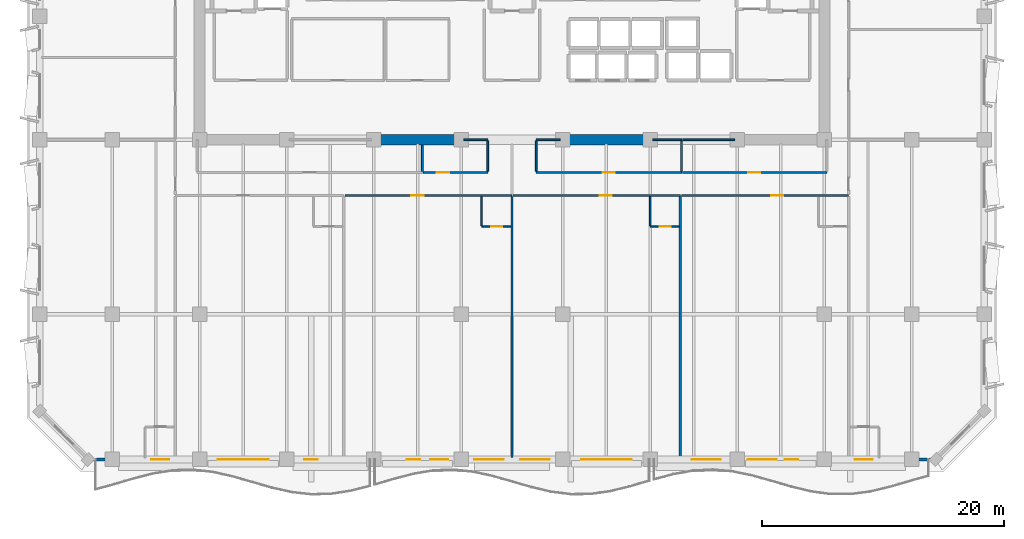
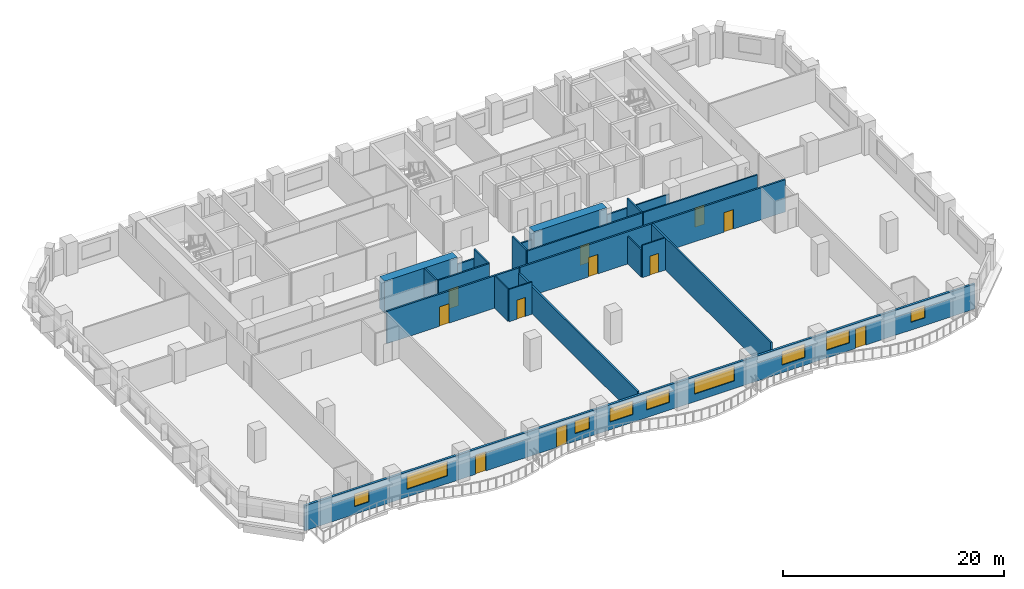
# One storey, part 5 of 14: 23 walls, 11 doors, 9 windows, 20 openings.
"""IFC4 building model written with IfcOpenShell, lengths in metres."""

from ifc_helpers import new_model, si_unit, direction, frame, frame_2d, origin, place, context, subcontext, project, spatial, rectangle, extrude, material, layer, layer_set, type_object, element, fill, save


model = new_model("IFC4")

# Units and contexts
model_context = context("Model", 3, precision=1e-05, world=origin(), true_north=direction((0.0, 1.0)))
body_context = subcontext(model_context, "Body", "Model", "MODEL_VIEW")
ifc_project = project(units=[si_unit("LENGTHUNIT", "METRE"), si_unit("AREAUNIT", "SQUARE_METRE"), si_unit("VOLUMEUNIT", "CUBIC_METRE"), si_unit("PLANEANGLEUNIT", "RADIAN"), si_unit("MASSUNIT", "GRAM", prefix="KILO")], contexts=[model_context])

# Site, building, storey
site_placement = place(None, origin())
site = spatial("IfcSite", under=ifc_project, at=site_placement, CompositionType="ELEMENT")
building_placement = place(site_placement, origin())
building = spatial("IfcBuilding", under=site, at=building_placement, Name="Kaelvorn Grand Hotel", CompositionType="ELEMENT")
storey_placement = place(building_placement, frame((0.0, 0.0, 216.75)))
storey = spatial("IfcBuildingStorey", under=building, at=storey_placement, Name="L53", CompositionType="ELEMENT", Elevation=216.75)

# Walls
ifc_material_1 = material(Name="Concrete C60/75", Category="concrete")
ifc_layer_1 = layer(ifc_material_1, 0.89990234375)
ifc_layer_set_1 = layer_set([ifc_layer_1], Name="Concrete C60/75")
wall_type_1 = type_object("IfcWallType", Name="WL-CORE-900-C60", PredefinedType="SHEAR", material=ifc_layer_set_1)
for number, where, z_axis, x_axis, name in (
    (1, (30.39990234375, 29.39990234375, 0.0), (0.0, 0.0, 1.0), (1.0, 0.0, 0.0), "L53 Rear-Core Coupled Shear Pier S2"),
    (2, (46.0, 29.39990234375, 0.0), (0.0, 0.0, 1.0), (1.0, 0.0, 0.0), "L53 Rear-Core Coupled Shear Pier S3"),
):
    element("IfcWall", number, at=place(storey_placement, frame(where, z_axis=z_axis, x_axis=x_axis)), inside=storey, type_object=wall_type_1, Name=name, PredefinedType="SHEAR", context=body_context, shape_type="SweptSolid", body=[
        extrude(rectangle(XDim=7.60009765625, YDim=0.89990234375, at=frame_2d((3.800048828125, 0.0))), origin(), (0.0, 0.0, 1.0), 3.56005859375),
    ])

# Wall, openings, doors, windows
ifc_material_2 = material(Name="Concrete C40/50", Category="concrete")
ifc_layer_2 = layer(ifc_material_2, 0.239990234375)
ifc_layer_set_2 = layer_set([ifc_layer_2], Name="Concrete C40/50")
wall_type_2 = type_object("IfcWallType", Name="WL-EXT-240-C40", PredefinedType="SOLIDWALL", material=ifc_layer_set_2)
wall_1_placement = place(storey_placement, frame((7.0, 3.0, 0.0), z_axis=(0.0, 0.0, 1.0), x_axis=(1.0, 0.0, 0.0)))
wall_1 = element("IfcWall", 3, at=wall_1_placement, inside=storey, type_object=wall_type_2, Name="L53 Exterior Architectural Concrete Wall 01", PredefinedType="SOLIDWALL", context=body_context, shape_type="SweptSolid", body=[
    extrude(rectangle(XDim=70.0, YDim=0.239990234375, at=frame_2d((35.0, 0.0))), origin(), (0.0, 0.0, 1.0), 2.760009765625),
])
opening_1_placement = place(wall_1_placement, frame((17.859619140625, 0.0, 0.0)))
opening_1 = element("IfcOpeningElement", 4, at=opening_1_placement, cuts=wall_1, Name="Opening DE2", PredefinedType="OPENING", context=body_context, shape_type="SweptSolid", body=[
    extrude(rectangle(XDim=1.10009765625, YDim=2.14990234375, at=frame_2d((0.550048828125, 1.074951171875))), frame((0.0, 0.1298828125, 0.0), z_axis=(0.0, -1.0, 0.0), x_axis=(1.0, 0.0, 0.0)), (0.0, 0.0, 1.0), 0.260009765625),
])
opening_2_placement = place(wall_1_placement, frame((26.316650390625, 0.0, 0.0)))
opening_2 = element("IfcOpeningElement", 5, at=opening_2_placement, cuts=wall_1, Name="Opening DE2", PredefinedType="OPENING", context=body_context, shape_type="SweptSolid", body=[
    extrude(rectangle(XDim=1.10009765625, YDim=2.14990234375, at=frame_2d((0.550048828125, 1.074951171875))), frame((0.0, 0.1298828125, 0.0), z_axis=(0.0, -1.0, 0.0), x_axis=(1.0, 0.0, 0.0)), (0.0, 0.0, 1.0), 0.260009765625),
])
opening_3_placement = place(wall_1_placement, frame((57.5166015625, 0.0, 0.0)))
opening_3 = element("IfcOpeningElement", 6, at=opening_3_placement, cuts=wall_1, Name="Opening DE2", PredefinedType="OPENING", context=body_context, shape_type="SweptSolid", body=[
    extrude(rectangle(XDim=1.10009765625, YDim=2.14990234375, at=frame_2d((0.550048828125, 1.074951171875))), frame((0.0, 0.1298828125, 0.0), z_axis=(0.0, -1.0, 0.0), x_axis=(1.0, 0.0, 0.0)), (0.0, 0.0, 1.0), 0.260009765625),
])
opening_4_placement = place(wall_1_placement, frame((5.199951171875, 0.0, 0.85009765625)))
opening_4 = element("IfcOpeningElement", 7, at=opening_4_placement, cuts=wall_1, Name="Opening W10", PredefinedType="OPENING", context=body_context, shape_type="SweptSolid", body=[
    extrude(rectangle(XDim=1.5, YDim=1.39990234375, at=frame_2d((0.75, 0.699951171875))), frame((0.0, 0.1298828125, 0.0), z_axis=(0.0, -1.0, 0.0), x_axis=(1.0, 0.0, 0.0)), (0.0, 0.0, 1.0), 0.260009765625),
])
opening_5_placement = place(wall_1_placement, frame((10.699951171875, 0.0, 0.85009765625)))
opening_5 = element("IfcOpeningElement", 8, at=opening_5_placement, cuts=wall_1, Name="Opening W2", PredefinedType="OPENING", context=body_context, shape_type="SweptSolid", body=[
    extrude(rectangle(XDim=4.199951171875, YDim=1.64990234375, at=frame_2d((2.10009765625, 0.824951171875))), frame((0.0, 0.1298828125, 0.0), z_axis=(0.0, -1.0, 0.0), x_axis=(1.0, 0.0, 0.0)), (0.0, 0.0, 1.0), 0.260009765625),
])
opening_6_placement = place(wall_1_placement, frame((28.243408203125, 0.0, 0.85009765625)))
opening_6 = element("IfcOpeningElement", 9, at=opening_6_placement, cuts=wall_1, Name="Opening W10", PredefinedType="OPENING", context=body_context, shape_type="SweptSolid", body=[
    extrude(rectangle(XDim=1.5, YDim=1.39990234375, at=frame_2d((0.75, 0.699951171875))), frame((0.0, 0.1298828125, 0.0), z_axis=(0.0, -1.0, 0.0), x_axis=(1.0, 0.0, 0.0)), (0.0, 0.0, 1.0), 0.260009765625),
])
opening_7_placement = place(wall_1_placement, frame((31.89990234375, 0.0, 0.85009765625)))
opening_7 = element("IfcOpeningElement", 10, at=opening_7_placement, cuts=wall_1, Name="Opening W6", PredefinedType="OPENING", context=body_context, shape_type="SweptSolid", body=[
    extrude(rectangle(XDim=2.39990234375, YDim=1.5, at=frame_2d((1.199951171875, 0.75))), frame((0.0, 0.1298828125, 0.0), z_axis=(0.0, -1.0, 0.0), x_axis=(1.0, 0.0, 0.0)), (0.0, 0.0, 1.0), 0.260009765625),
])
opening_8_placement = place(wall_1_placement, frame((35.699951171875, 0.0, 0.85009765625)))
opening_8 = element("IfcOpeningElement", 11, at=opening_8_placement, cuts=wall_1, Name="Opening W6", PredefinedType="OPENING", context=body_context, shape_type="SweptSolid", body=[
    extrude(rectangle(XDim=2.39990234375, YDim=1.5, at=frame_2d((1.199951171875, 0.75))), frame((0.0, 0.1298828125, 0.0), z_axis=(0.0, -1.0, 0.0), x_axis=(1.0, 0.0, 0.0)), (0.0, 0.0, 1.0), 0.260009765625),
])
opening_9_placement = place(wall_1_placement, frame((40.699951171875, 0.0, 0.85009765625)))
opening_9 = element("IfcOpeningElement", 12, at=opening_9_placement, cuts=wall_1, Name="Opening W2", PredefinedType="OPENING", context=body_context, shape_type="SweptSolid", body=[
    extrude(rectangle(XDim=4.199951171875, YDim=1.64990234375, at=frame_2d((2.10009765625, 0.824951171875))), frame((0.0, 0.1298828125, 0.0), z_axis=(0.0, -1.0, 0.0), x_axis=(1.0, 0.0, 0.0)), (0.0, 0.0, 1.0), 0.260009765625),
])
opening_10_placement = place(wall_1_placement, frame((49.85009765625, 0.0, 0.85009765625)))
opening_10 = element("IfcOpeningElement", 13, at=opening_10_placement, cuts=wall_1, Name="Opening W6", PredefinedType="OPENING", context=body_context, shape_type="SweptSolid", body=[
    extrude(rectangle(XDim=2.39990234375, YDim=1.5, at=frame_2d((1.199951171875, 0.75))), frame((0.0, 0.1298828125, 0.0), z_axis=(0.0, -1.0, 0.0), x_axis=(1.0, 0.0, 0.0)), (0.0, 0.0, 1.0), 0.260009765625),
])
opening_11_placement = place(wall_1_placement, frame((54.473388671875, 0.0, 0.85009765625)))
opening_11 = element("IfcOpeningElement", 14, at=opening_11_placement, cuts=wall_1, Name="Opening W6", PredefinedType="OPENING", context=body_context, shape_type="SweptSolid", body=[
    extrude(rectangle(XDim=2.39990234375, YDim=1.5, at=frame_2d((1.199951171875, 0.75))), frame((0.0, 0.1298828125, 0.0), z_axis=(0.0, -1.0, 0.0), x_axis=(1.0, 0.0, 0.0)), (0.0, 0.0, 1.0), 0.260009765625),
])
opening_12_placement = place(wall_1_placement, frame((63.300048828125, 0.0, 0.85009765625)))
opening_12 = element("IfcOpeningElement", 15, at=opening_12_placement, cuts=wall_1, Name="Opening W10", PredefinedType="OPENING", context=body_context, shape_type="SweptSolid", body=[
    extrude(rectangle(XDim=1.5, YDim=1.39990234375, at=frame_2d((0.75, 0.699951171875))), frame((0.0, 0.1298828125, 0.0), z_axis=(0.0, -1.0, 0.0), x_axis=(1.0, 0.0, 0.0)), (0.0, 0.0, 1.0), 0.260009765625),
])
ifc_material_3 = material(Name="Anodised Aluminium", Category="aluminium")
door_type_1 = type_object("IfcDoorType", Name="DR-EXT-BALC-1100x2150", OperationType="NOTDEFINED", PredefinedType="DOOR", material=ifc_material_3)
door_1_placement = place(opening_1_placement, origin())
door_1 = element("IfcDoor", 16, at=door_1_placement, inside=storey, type_object=door_type_1, Name="L53 Scalloped Balcony Glazed Door DE2-1", OperationType="SINGLE_SWING_RIGHT", OverallHeight=2.14990234375, OverallWidth=1.10009765625, PredefinedType="DOOR", context=body_context, shape_type="SweptSolid", body=[
    extrude(rectangle(XDim=1.10009765625, YDim=2.14990234375, at=frame_2d((0.550048828125, 1.074951171875))), frame((0.0, 0.02490234375, 0.0), z_axis=(0.0, -1.0, 0.0), x_axis=(1.0, 0.0, 0.0)), (0.0, 0.0, 1.0), 0.050048828125),
])
fill(opening_1, door_1)
door_2_placement = place(opening_2_placement, origin())
door_2 = element("IfcDoor", 17, at=door_2_placement, inside=storey, type_object=door_type_1, Name="L53 Scalloped Balcony Glazed Door DE2-2", OperationType="SINGLE_SWING_LEFT", OverallHeight=2.14990234375, OverallWidth=1.10009765625, PredefinedType="DOOR", context=body_context, shape_type="SweptSolid", body=[
    extrude(rectangle(XDim=1.10009765625, YDim=2.14990234375, at=frame_2d((0.550048828125, 1.074951171875))), frame((0.0, 0.02490234375, 0.0), z_axis=(0.0, -1.0, 0.0), x_axis=(1.0, 0.0, 0.0)), (0.0, 0.0, 1.0), 0.050048828125),
])
fill(opening_2, door_2)
door_3_placement = place(opening_3_placement, origin())
door_3 = element("IfcDoor", 18, at=door_3_placement, inside=storey, type_object=door_type_1, Name="L53 Scalloped Balcony Glazed Door DE2-3", OperationType="SINGLE_SWING_RIGHT", OverallHeight=2.14990234375, OverallWidth=1.10009765625, PredefinedType="DOOR", context=body_context, shape_type="SweptSolid", body=[
    extrude(rectangle(XDim=1.10009765625, YDim=2.14990234375, at=frame_2d((0.550048828125, 1.074951171875))), frame((0.0, 0.02490234375, 0.0), z_axis=(0.0, -1.0, 0.0), x_axis=(1.0, 0.0, 0.0)), (0.0, 0.0, 1.0), 0.050048828125),
])
fill(opening_3, door_3)
ifc_material_4 = material(Name="Laminated Low-E Glass", Category="glass")
window_type_1 = type_object("IfcWindowType", Name="WIN-COR-1500x1400", PartitioningType="SINGLE_PANEL", PredefinedType="WINDOW", material=ifc_material_4)
window_1_placement = place(opening_4_placement, origin())
window_1 = element("IfcWindow", 19, at=window_1_placement, inside=storey, type_object=window_type_1, Name="L53 South Guestroom Ribbon Window SR01", OverallHeight=1.39990234375, OverallWidth=1.5, PartitioningType="SINGLE_PANEL", PredefinedType="WINDOW", context=body_context, shape_type="SweptSolid", body=[
    extrude(rectangle(XDim=1.5, YDim=1.39990234375, at=frame_2d((0.75, 0.699951171875))), frame((0.0, 0.030029296875, 0.0), z_axis=(0.0, -1.0, 0.0), x_axis=(1.0, 0.0, 0.0)), (0.0, 0.0, 1.0), 0.06005859375),
])
fill(opening_4, window_1)
window_2_placement = place(opening_6_placement, origin())
window_2 = element("IfcWindow", 20, at=window_2_placement, inside=storey, type_object=window_type_1, Name="L53 South Guestroom Ribbon Window SR03", OverallHeight=1.39990234375, OverallWidth=1.5, PartitioningType="SINGLE_PANEL", PredefinedType="WINDOW", context=body_context, shape_type="SweptSolid", body=[
    extrude(rectangle(XDim=1.5, YDim=1.39990234375, at=frame_2d((0.75, 0.699951171875))), frame((0.0, 0.030029296875, 0.0), z_axis=(0.0, -1.0, 0.0), x_axis=(1.0, 0.0, 0.0)), (0.0, 0.0, 1.0), 0.06005859375),
])
fill(opening_6, window_2)
window_3_placement = place(opening_12_placement, origin())
window_3 = element("IfcWindow", 21, at=window_3_placement, inside=storey, type_object=window_type_1, Name="L53 South Guestroom Ribbon Window SR09", OverallHeight=1.39990234375, OverallWidth=1.5, PartitioningType="SINGLE_PANEL", PredefinedType="WINDOW", context=body_context, shape_type="SweptSolid", body=[
    extrude(rectangle(XDim=1.5, YDim=1.39990234375, at=frame_2d((0.75, 0.699951171875))), frame((0.0, 0.030029296875, 0.0), z_axis=(0.0, -1.0, 0.0), x_axis=(1.0, 0.0, 0.0)), (0.0, 0.0, 1.0), 0.06005859375),
])
fill(opening_12, window_3)
window_type_2 = type_object("IfcWindowType", Name="WIN-NTH-2400x1500", PartitioningType="SINGLE_PANEL", PredefinedType="WINDOW", material=ifc_material_4)
window_4_placement = place(opening_7_placement, origin())
window_4 = element("IfcWindow", 22, at=window_4_placement, inside=storey, type_object=window_type_2, Name="L53 South Guestroom Ribbon Window SR04", OverallHeight=1.5, OverallWidth=2.39990234375, PartitioningType="SINGLE_PANEL", PredefinedType="WINDOW", context=body_context, shape_type="SweptSolid", body=[
    extrude(rectangle(XDim=2.39990234375, YDim=1.5, at=frame_2d((1.199951171875, 0.75))), frame((0.0, 0.030029296875, 0.0), z_axis=(0.0, -1.0, 0.0), x_axis=(1.0, 0.0, 0.0)), (0.0, 0.0, 1.0), 0.06005859375),
])
fill(opening_7, window_4)
window_5_placement = place(opening_8_placement, origin())
window_5 = element("IfcWindow", 23, at=window_5_placement, inside=storey, type_object=window_type_2, Name="L53 South Guestroom Ribbon Window SR05", OverallHeight=1.5, OverallWidth=2.39990234375, PartitioningType="SINGLE_PANEL", PredefinedType="WINDOW", context=body_context, shape_type="SweptSolid", body=[
    extrude(rectangle(XDim=2.39990234375, YDim=1.5, at=frame_2d((1.199951171875, 0.75))), frame((0.0, 0.030029296875, 0.0), z_axis=(0.0, -1.0, 0.0), x_axis=(1.0, 0.0, 0.0)), (0.0, 0.0, 1.0), 0.06005859375),
])
fill(opening_8, window_5)
window_6_placement = place(opening_10_placement, origin())
window_6 = element("IfcWindow", 24, at=window_6_placement, inside=storey, type_object=window_type_2, Name="L53 South Guestroom Ribbon Window SR07", OverallHeight=1.5, OverallWidth=2.39990234375, PartitioningType="SINGLE_PANEL", PredefinedType="WINDOW", context=body_context, shape_type="SweptSolid", body=[
    extrude(rectangle(XDim=2.39990234375, YDim=1.5, at=frame_2d((1.199951171875, 0.75))), frame((0.0, 0.030029296875, 0.0), z_axis=(0.0, -1.0, 0.0), x_axis=(1.0, 0.0, 0.0)), (0.0, 0.0, 1.0), 0.06005859375),
])
fill(opening_10, window_6)
window_7_placement = place(opening_11_placement, origin())
window_7 = element("IfcWindow", 25, at=window_7_placement, inside=storey, type_object=window_type_2, Name="L53 South Guestroom Ribbon Window SR08", OverallHeight=1.5, OverallWidth=2.39990234375, PartitioningType="SINGLE_PANEL", PredefinedType="WINDOW", context=body_context, shape_type="SweptSolid", body=[
    extrude(rectangle(XDim=2.39990234375, YDim=1.5, at=frame_2d((1.199951171875, 0.75))), frame((0.0, 0.030029296875, 0.0), z_axis=(0.0, -1.0, 0.0), x_axis=(1.0, 0.0, 0.0)), (0.0, 0.0, 1.0), 0.06005859375),
])
fill(opening_11, window_7)
window_type_3 = type_object("IfcWindowType", Name="WIN-RIB-4200x1650", PartitioningType="SINGLE_PANEL", PredefinedType="WINDOW", material=ifc_material_4)
window_8_placement = place(opening_5_placement, origin())
window_8 = element("IfcWindow", 26, at=window_8_placement, inside=storey, type_object=window_type_3, Name="L53 South Guestroom Ribbon Window SR02", OverallHeight=1.64990234375, OverallWidth=4.199951171875, PartitioningType="SINGLE_PANEL", PredefinedType="WINDOW", context=body_context, shape_type="SweptSolid", body=[
    extrude(rectangle(XDim=4.199951171875, YDim=1.64990234375, at=frame_2d((2.10009765625, 0.824951171875))), frame((0.0, 0.030029296875, 0.0), z_axis=(0.0, -1.0, 0.0), x_axis=(1.0, 0.0, 0.0)), (0.0, 0.0, 1.0), 0.06005859375),
])
fill(opening_5, window_8)
window_9_placement = place(opening_9_placement, origin())
window_9 = element("IfcWindow", 27, at=window_9_placement, inside=storey, type_object=window_type_3, Name="L53 South Guestroom Ribbon Window SR06", OverallHeight=1.64990234375, OverallWidth=4.199951171875, PartitioningType="SINGLE_PANEL", PredefinedType="WINDOW", context=body_context, shape_type="SweptSolid", body=[
    extrude(rectangle(XDim=4.199951171875, YDim=1.64990234375, at=frame_2d((2.10009765625, 0.824951171875))), frame((0.0, 0.030029296875, 0.0), z_axis=(0.0, -1.0, 0.0), x_axis=(1.0, 0.0, 0.0)), (0.0, 0.0, 1.0), 0.06005859375),
])
fill(opening_9, window_9)

# Wall, opening, door
ifc_material_5 = material(Name="Moisture-Resistant Tile & Stud Board")
ifc_layer_3 = layer(ifc_material_5, 0.125)
ifc_layer_set_3 = layer_set([ifc_layer_3], Name="Moisture-Resistant Tile & Stud Board")
wall_type_3 = type_object("IfcWallType", Name="WL-PART-125-WET", PredefinedType="PARTITIONING", material=ifc_layer_set_3)
wall_2_placement = place(storey_placement, frame((39.5, 22.25, 0.0), z_axis=(0.0, 0.0, 1.0), x_axis=(1.0, 0.0, 0.0)))
wall_2 = element("IfcWall", 28, at=wall_2_placement, inside=storey, type_object=wall_type_3, Name="L53 En-suite Bathroom L53-02 S Partition", PredefinedType="PARTITIONING", context=body_context, shape_type="SweptSolid", body=[
    extrude(rectangle(XDim=2.405029296875, YDim=0.125, at=frame_2d((1.20263671875, 0.0))), origin(), (0.0, 0.0, 1.0), 3.56005859375),
])
opening_13_placement = place(wall_2_placement, frame((0.800048828125, 0.0, 0.0)))
opening_13 = element("IfcOpeningElement", 29, at=opening_13_placement, cuts=wall_2, Name="Opening DI4", PredefinedType="OPENING", context=body_context, shape_type="SweptSolid", body=[
    extrude(rectangle(XDim=0.89990234375, YDim=2.10009765625, at=frame_2d((0.449951171875, 1.050048828125))), frame((0.0, 0.072509765625, 0.0), z_axis=(0.0, -1.0, 0.0), x_axis=(1.0, 0.0, 0.0)), (0.0, 0.0, 1.0), 0.14501953125),
])
ifc_material_6 = material(Name="Timber Veneer Leaf", Category="wood")
door_type_2 = type_object("IfcDoorType", Name="DR-INT-BATH-900x2100", OperationType="NOTDEFINED", PredefinedType="DOOR", material=ifc_material_6)
door_4_placement = place(opening_13_placement, origin())
door_4 = element("IfcDoor", 30, at=door_4_placement, inside=storey, type_object=door_type_2, Name="L53 En-suite Bathroom L53-02 Door", OperationType="SINGLE_SWING_LEFT", OverallHeight=2.10009765625, OverallWidth=0.89990234375, PredefinedType="DOOR", context=body_context, shape_type="SweptSolid", body=[
    extrude(rectangle(XDim=0.89990234375, YDim=2.10009765625, at=frame_2d((0.449951171875, 1.050048828125))), frame((0.0, 0.02490234375, 0.0), z_axis=(0.0, -1.0, 0.0), x_axis=(1.0, 0.0, 0.0)), (0.0, 0.0, 1.0), 0.050048828125),
])
fill(opening_13, door_4)

# Wall
wall_3_placement = place(storey_placement, frame((39.5, 22.3173828125, 0.0), z_axis=(0.0, 0.0, 1.0), x_axis=(0.0, 1.0, 0.0)))
element("IfcWall", 31, at=wall_3_placement, inside=storey, type_object=wall_type_3, Name="L53 En-suite Bathroom L53-02 W Partition", PredefinedType="PARTITIONING", context=body_context, shape_type="SweptSolid", body=[
    extrude(rectangle(XDim=2.3876953125, YDim=0.125, at=frame_2d((1.19384765625, 0.0))), origin(), (0.0, 0.0, 1.0), 3.56005859375),
])

# Wall, opening, door
wall_4_placement = place(storey_placement, frame((53.39990234375, 22.25, 0.0), z_axis=(0.0, 0.0, 1.0), x_axis=(1.0, 0.0, 0.0)))
wall_4 = element("IfcWall", 32, at=wall_4_placement, inside=storey, type_object=wall_type_3, Name="L53 En-suite Bathroom L53-03 S Partition", PredefinedType="PARTITIONING", context=body_context, shape_type="SweptSolid", body=[
    extrude(rectangle(XDim=2.405029296875, YDim=0.125, at=frame_2d((1.20263671875, 0.0))), origin(), (0.0, 0.0, 1.0), 3.56005859375),
])
opening_14_placement = place(wall_4_placement, frame((0.800048828125, 0.0, 0.0)))
opening_14 = element("IfcOpeningElement", 33, at=opening_14_placement, cuts=wall_4, Name="Opening DI4", PredefinedType="OPENING", context=body_context, shape_type="SweptSolid", body=[
    extrude(rectangle(XDim=0.89990234375, YDim=2.10009765625, at=frame_2d((0.449951171875, 1.050048828125))), frame((0.0, 0.072509765625, 0.0), z_axis=(0.0, -1.0, 0.0), x_axis=(1.0, 0.0, 0.0)), (0.0, 0.0, 1.0), 0.14501953125),
])
door_5_placement = place(opening_14_placement, origin())
door_5 = element("IfcDoor", 34, at=door_5_placement, inside=storey, type_object=door_type_2, Name="L53 En-suite Bathroom L53-03 Door", OperationType="SINGLE_SWING_LEFT", OverallHeight=2.10009765625, OverallWidth=0.89990234375, PredefinedType="DOOR", context=body_context, shape_type="SweptSolid", body=[
    extrude(rectangle(XDim=0.89990234375, YDim=2.10009765625, at=frame_2d((0.449951171875, 1.050048828125))), frame((0.0, 0.02490234375, 0.0), z_axis=(0.0, -1.0, 0.0), x_axis=(1.0, 0.0, 0.0)), (0.0, 0.0, 1.0), 0.050048828125),
])
fill(opening_14, door_5)

# Walls
wall_5_placement = place(storey_placement, frame((53.39990234375, 22.3173828125, 0.0), z_axis=(0.0, 0.0, 1.0), x_axis=(0.0, 1.0, 0.0)))
element("IfcWall", 35, at=wall_5_placement, inside=storey, type_object=wall_type_3, Name="L53 En-suite Bathroom L53-03 W Partition", PredefinedType="PARTITIONING", context=body_context, shape_type="SweptSolid", body=[
    extrude(rectangle(XDim=2.3876953125, YDim=0.125, at=frame_2d((1.19384765625, 0.0))), origin(), (0.0, 0.0, 1.0), 3.06005859375),
])
ifc_material_7 = material(Name="Acoustic Gypsum & Stud Partition")
ifc_layer_4 = layer(ifc_material_7, 0.14990234375)
ifc_layer_set_4 = layer_set([ifc_layer_4], Name="Acoustic Gypsum & Stud Partition")
wall_type_4 = type_object("IfcWallType", Name="WL-PART-150-EI60", PredefinedType="PARTITIONING", material=ifc_layer_set_4)
wall_6_placement = place(storey_placement, frame((34.60009765625, 26.780029296875, 0.0), z_axis=(0.0, 0.0, 1.0), x_axis=(0.0, 1.0, 0.0)))
element("IfcWall", 36, at=wall_6_placement, inside=storey, type_object=wall_type_4, Name="L53 Botanical Conservatory Salon E Partition", PredefinedType="PARTITIONING", context=body_context, shape_type="SweptSolid", body=[
    extrude(rectangle(XDim=2.1650390625, YDim=0.14990234375, at=frame_2d((1.08251953125, 0.0))), origin(), (0.0, 0.0, 1.0), 3.56005859375),
])

# Wall, opening, door
wall_7_placement = place(storey_placement, frame((34.679931640625, 26.699951171875, 0.0), z_axis=(0.0, 0.0, 1.0), x_axis=(1.0, 0.0, 0.0)))
wall_7 = element("IfcWall", 37, at=wall_7_placement, inside=storey, type_object=wall_type_4, Name="L53 Catering Servery Kitchen S Partition", PredefinedType="PARTITIONING", context=body_context, shape_type="SweptSolid", body=[
    extrude(rectangle(XDim=5.320068359375, YDim=0.14990234375, at=frame_2d((2.66015625, 0.0))), origin(), (0.0, 0.0, 1.0), 3.56005859375),
])
opening_15_placement = place(wall_7_placement, frame((1.1201171875, 0.0, 0.0)))
opening_15 = element("IfcOpeningElement", 38, at=opening_15_placement, cuts=wall_7, Name="Opening DI3", PredefinedType="OPENING", context=body_context, shape_type="SweptSolid", body=[
    extrude(rectangle(XDim=1.0, YDim=2.14990234375, at=frame_2d((0.5, 1.074951171875))), frame((0.0, 0.0849609375, 0.0), z_axis=(0.0, -1.0, 0.0), x_axis=(1.0, 0.0, 0.0)), (0.0, 0.0, 1.0), 0.169921875),
])
ifc_material_8 = material(Name="Timber Veneer Fire Leaf", Category="wood")
door_type_3 = type_object("IfcDoorType", Name="DR-INT-GUEST-1000x2150", OperationType="NOTDEFINED", PredefinedType="DOOR", material=ifc_material_8)
door_6_placement = place(opening_15_placement, origin())
door_6 = element("IfcDoor", 39, at=door_6_placement, inside=storey, type_object=door_type_3, Name="L53 Catering Servery Kitchen Door", OperationType="SINGLE_SWING_LEFT", OverallHeight=2.14990234375, OverallWidth=1.0, PredefinedType="DOOR", context=body_context, shape_type="SweptSolid", body=[
    extrude(rectangle(XDim=1.0, YDim=2.14990234375, at=frame_2d((0.5, 1.074951171875))), frame((0.0, 0.02490234375, 0.0), z_axis=(0.0, -1.0, 0.0), x_axis=(1.0, 0.0, 0.0)), (0.0, 0.0, 1.0), 0.050048828125),
])
fill(opening_15, door_6)

# Walls
wall_8_placement = place(storey_placement, frame((38.010009765625, 29.39990234375, 0.0), z_axis=(0.0, 0.0, 1.0), x_axis=(1.0, 0.0, 0.0)))
element("IfcWall", 40, at=wall_8_placement, inside=storey, type_object=wall_type_4, Name="L53 Catering Servery Kitchen N Partition", PredefinedType="PARTITIONING", context=body_context, shape_type="SweptSolid", body=[
    extrude(rectangle(XDim=1.989990234375, YDim=0.14990234375, at=frame_2d((0.9951171875, 0.0))), origin(), (0.0, 0.0, 1.0), 2.4599609375),
])
wall_9_placement = place(storey_placement, frame((40.0, 26.780029296875, 0.0), z_axis=(0.0, 0.0, 1.0), x_axis=(0.0, 1.0, 0.0)))
element("IfcWall", 41, at=wall_9_placement, inside=storey, type_object=wall_type_4, Name="L53 Catering Servery Kitchen E Partition", PredefinedType="PARTITIONING", context=body_context, shape_type="SweptSolid", body=[
    extrude(rectangle(XDim=2.5400390625, YDim=0.14990234375, at=frame_2d((1.27001953125, 0.0))), origin(), (0.0, 0.0, 1.0), 3.56005859375),
])

# Wall, opening, door
wall_10_placement = place(storey_placement, frame((44.0, 26.699951171875, 0.0), z_axis=(0.0, 0.0, 1.0), x_axis=(1.0, 0.0, 0.0)))
wall_10 = element("IfcWall", 42, at=wall_10_placement, inside=storey, type_object=wall_type_4, Name="L53 Presidential Living Room S Partition", PredefinedType="PARTITIONING", context=body_context, shape_type="SweptSolid", body=[
    extrude(rectangle(XDim=12.0, YDim=0.14990234375, at=frame_2d((6.0, 0.0))), origin(), (0.0, 0.0, 1.0), 3.56005859375),
])
opening_16_placement = place(wall_10_placement, frame((5.5, 0.0, 0.0)))
opening_16 = element("IfcOpeningElement", 43, at=opening_16_placement, cuts=wall_10, Name="Opening DI3", PredefinedType="OPENING", context=body_context, shape_type="SweptSolid", body=[
    extrude(rectangle(XDim=1.0, YDim=2.14990234375, at=frame_2d((0.5, 1.074951171875))), frame((0.0, 0.0849609375, 0.0), z_axis=(0.0, -1.0, 0.0), x_axis=(1.0, 0.0, 0.0)), (0.0, 0.0, 1.0), 0.169921875),
])
door_7_placement = place(opening_16_placement, origin())
door_7 = element("IfcDoor", 44, at=door_7_placement, inside=storey, type_object=door_type_3, Name="L53 Presidential Living Room Door", OperationType="SINGLE_SWING_RIGHT", OverallHeight=2.14990234375, OverallWidth=1.0, PredefinedType="DOOR", context=body_context, shape_type="SweptSolid", body=[
    extrude(rectangle(XDim=1.0, YDim=2.14990234375, at=frame_2d((0.5, 1.074951171875))), frame((0.0, 0.02490234375, 0.0), z_axis=(0.0, -1.0, 0.0), x_axis=(1.0, 0.0, 0.0)), (0.0, 0.0, 1.0), 0.050048828125),
])
fill(opening_16, door_7)

# Walls
wall_11_placement = place(storey_placement, frame((44.0, 29.39990234375, 0.0), z_axis=(0.0, 0.0, 1.0), x_axis=(1.0, 0.0, 0.0)))
element("IfcWall", 45, at=wall_11_placement, inside=storey, type_object=wall_type_4, Name="L53 Presidential Living Room N Partition (1)", PredefinedType="PARTITIONING", context=body_context, shape_type="SweptSolid", body=[
    extrude(rectangle(XDim=1.989990234375, YDim=0.14990234375, at=frame_2d((0.9951171875, 0.0))), origin(), (0.0, 0.0, 1.0), 2.4599609375),
])
wall_12_placement = place(storey_placement, frame((53.610107421875, 29.39990234375, 0.0), z_axis=(0.0, 0.0, 1.0), x_axis=(1.0, 0.0, 0.0)))
element("IfcWall", 46, at=wall_12_placement, inside=storey, type_object=wall_type_4, Name="L53 Presidential Living Room N Partition (2)", PredefinedType="PARTITIONING", context=body_context, shape_type="SweptSolid", body=[
    extrude(rectangle(XDim=2.389892578125, YDim=0.14990234375, at=frame_2d((1.19482421875, 0.0))), origin(), (0.0, 0.0, 1.0), 2.4599609375),
])
for number, where, z_axis, x_axis, name in (
    (47, (44.0, 26.780029296875, 0.0), (0.0, 0.0, 1.0), (0.0, 1.0, 0.0), "L53 Presidential Living Room W Partition"),
    (48, (56.0, 26.780029296875, 0.0), (0.0, 0.0, 1.0), (0.0, 1.0, 0.0), "L53 Presidential Living Room E Partition"),
):
    element("IfcWall", number, at=place(storey_placement, frame(where, z_axis=z_axis, x_axis=x_axis)), inside=storey, type_object=wall_type_4, Name=name, PredefinedType="PARTITIONING", context=body_context, shape_type="SweptSolid", body=[
        extrude(rectangle(XDim=2.5400390625, YDim=0.14990234375, at=frame_2d((1.27001953125, 0.0))), origin(), (0.0, 0.0, 1.0), 3.56005859375),
    ])

# Wall, opening, door
wall_13_placement = place(storey_placement, frame((56.080078125, 26.699951171875, 0.0), z_axis=(0.0, 0.0, 1.0), x_axis=(1.0, 0.0, 0.0)))
wall_13 = element("IfcWall", 49, at=wall_13_placement, inside=storey, type_object=wall_type_4, Name="L53 Trade Advisory Office S Partition", PredefinedType="PARTITIONING", context=body_context, shape_type="SweptSolid", body=[
    extrude(rectangle(XDim=11.919921875, YDim=0.14990234375, at=frame_2d((5.9599609375, 0.0))), origin(), (0.0, 0.0, 1.0), 3.56005859375),
])
opening_17_placement = place(wall_13_placement, frame((5.419921875, 0.0, 0.0)))
opening_17 = element("IfcOpeningElement", 50, at=opening_17_placement, cuts=wall_13, Name="Opening DI3", PredefinedType="OPENING", context=body_context, shape_type="SweptSolid", body=[
    extrude(rectangle(XDim=1.0, YDim=2.14990234375, at=frame_2d((0.5, 1.074951171875))), frame((0.0, 0.0849609375, 0.0), z_axis=(0.0, -1.0, 0.0), x_axis=(1.0, 0.0, 0.0)), (0.0, 0.0, 1.0), 0.169921875),
])
door_8_placement = place(opening_17_placement, origin())
door_8 = element("IfcDoor", 51, at=door_8_placement, inside=storey, type_object=door_type_3, Name="L53 Trade Advisory Office Door", OperationType="SINGLE_SWING_LEFT", OverallHeight=2.14990234375, OverallWidth=1.0, PredefinedType="DOOR", context=body_context, shape_type="SweptSolid", body=[
    extrude(rectangle(XDim=1.0, YDim=2.14990234375, at=frame_2d((0.5, 1.074951171875))), frame((0.0, 0.02490234375, 0.0), z_axis=(0.0, -1.0, 0.0), x_axis=(1.0, 0.0, 0.0)), (0.0, 0.0, 1.0), 0.050048828125),
])
fill(opening_17, door_8)

# Wall
wall_14_placement = place(storey_placement, frame((56.080078125, 29.39990234375, 0.0), z_axis=(0.0, 0.0, 1.0), x_axis=(1.0, 0.0, 0.0)))
element("IfcWall", 52, at=wall_14_placement, inside=storey, type_object=wall_type_4, Name="L53 Trade Advisory Office N Partition", PredefinedType="PARTITIONING", context=body_context, shape_type="SweptSolid", body=[
    extrude(rectangle(XDim=4.309814453125, YDim=0.14990234375, at=frame_2d((2.15478515625, 0.0))), origin(), (0.0, 0.0, 1.0), 2.4599609375),
])

# Wall, opening, door
ifc_layer_5 = layer(ifc_material_7, 0.179931640625)
ifc_layer_set_5 = layer_set([ifc_layer_5], Name="Acoustic Gypsum & Stud Partition")
wall_type_5 = type_object("IfcWallType", Name="WL-PART-180-EI60", PredefinedType="PARTITIONING", material=ifc_layer_set_5)
wall_15_placement = place(storey_placement, frame((28.195068359375, 24.800048828125, 0.0), z_axis=(0.0, 0.0, 1.0), x_axis=(1.0, 0.0, 0.0)))
wall_15 = element("IfcWall", 53, at=wall_15_placement, inside=storey, type_object=wall_type_5, Name="L53 Presidential Sky Suite L53-02 N Partition", PredefinedType="PARTITIONING", context=body_context, shape_type="SweptSolid", body=[
    extrude(rectangle(XDim=13.804931640625, YDim=0.179931640625, at=frame_2d((6.90234375, 0.0))), origin(), (0.0, 0.0, 1.0), 3.56005859375),
])
opening_18_placement = place(wall_15_placement, frame((5.5048828125, 0.0, 0.0)))
opening_18 = element("IfcOpeningElement", 54, at=opening_18_placement, cuts=wall_15, Name="Opening DI3", PredefinedType="OPENING", context=body_context, shape_type="SweptSolid", body=[
    extrude(rectangle(XDim=1.0, YDim=2.14990234375, at=frame_2d((0.5, 1.074951171875))), frame((0.0, 0.10009765625, 0.0), z_axis=(0.0, -1.0, 0.0), x_axis=(1.0, 0.0, 0.0)), (0.0, 0.0, 1.0), 0.199951171875),
])
door_9_placement = place(opening_18_placement, origin())
door_9 = element("IfcDoor", 55, at=door_9_placement, inside=storey, type_object=door_type_3, Name="L53 Presidential Sky Suite L53-02 Door", OperationType="SINGLE_SWING_RIGHT", OverallHeight=2.14990234375, OverallWidth=1.0, PredefinedType="DOOR", context=body_context, shape_type="SweptSolid", body=[
    extrude(rectangle(XDim=1.0, YDim=2.14990234375, at=frame_2d((0.5, 1.074951171875))), frame((0.0, 0.02490234375, 0.0), z_axis=(0.0, -1.0, 0.0), x_axis=(1.0, 0.0, 0.0)), (0.0, 0.0, 1.0), 0.050048828125),
])
fill(opening_18, door_9)

# Wall
wall_16_placement = place(storey_placement, frame((42.0, 3.14990234375, 0.0), z_axis=(0.0, 0.0, 1.0), x_axis=(0.0, 1.0, 0.0)))
element("IfcWall", 56, at=wall_16_placement, inside=storey, type_object=wall_type_5, Name="L53 Presidential Sky Suite L53-02 E Partition", PredefinedType="PARTITIONING", context=body_context, shape_type="SweptSolid", body=[
    extrude(rectangle(XDim=21.55517578125, YDim=0.179931640625, at=frame_2d((10.777587890625, 0.0))), origin(), (0.0, 0.0, 1.0), 3.010009765625),
])

# Wall, opening, door
wall_17_placement = place(storey_placement, frame((42.094970703125, 24.800048828125, 0.0), z_axis=(0.0, 0.0, 1.0), x_axis=(1.0, 0.0, 0.0)))
wall_17 = element("IfcWall", 57, at=wall_17_placement, inside=storey, type_object=wall_type_5, Name="L53 Presidential Sky Suite L53-03 N Partition", PredefinedType="PARTITIONING", context=body_context, shape_type="SweptSolid", body=[
    extrude(rectangle(XDim=13.804931640625, YDim=0.179931640625, at=frame_2d((6.90234375, 0.0))), origin(), (0.0, 0.0, 1.0), 3.56005859375),
])
opening_19_placement = place(wall_17_placement, frame((7.14501953125, 0.0, 0.0)))
opening_19 = element("IfcOpeningElement", 58, at=opening_19_placement, cuts=wall_17, Name="Opening DI3", PredefinedType="OPENING", context=body_context, shape_type="SweptSolid", body=[
    extrude(rectangle(XDim=1.0, YDim=2.14990234375, at=frame_2d((0.5, 1.074951171875))), frame((0.0, 0.10009765625, 0.0), z_axis=(0.0, -1.0, 0.0), x_axis=(1.0, 0.0, 0.0)), (0.0, 0.0, 1.0), 0.199951171875),
])
door_10_placement = place(opening_19_placement, origin())
door_10 = element("IfcDoor", 59, at=door_10_placement, inside=storey, type_object=door_type_3, Name="L53 Presidential Sky Suite L53-03 Door", OperationType="SINGLE_SWING_RIGHT", OverallHeight=2.14990234375, OverallWidth=1.0, PredefinedType="DOOR", context=body_context, shape_type="SweptSolid", body=[
    extrude(rectangle(XDim=1.0, YDim=2.14990234375, at=frame_2d((0.5, 1.074951171875))), frame((0.0, 0.02490234375, 0.0), z_axis=(0.0, -1.0, 0.0), x_axis=(1.0, 0.0, 0.0)), (0.0, 0.0, 1.0), 0.050048828125),
])
fill(opening_19, door_10)

# Wall
wall_18_placement = place(storey_placement, frame((55.89990234375, 3.14990234375, 0.0), z_axis=(0.0, 0.0, 1.0), x_axis=(0.0, 1.0, 0.0)))
element("IfcWall", 60, at=wall_18_placement, inside=storey, type_object=wall_type_5, Name="L53 Presidential Sky Suite L53-03 E Partition", PredefinedType="PARTITIONING", context=body_context, shape_type="SweptSolid", body=[
    extrude(rectangle(XDim=21.55517578125, YDim=0.179931640625, at=frame_2d((10.777587890625, 0.0))), origin(), (0.0, 0.0, 1.0), 3.56005859375),
])

# Wall, opening, door
wall_19_placement = place(storey_placement, frame((55.9951171875, 24.800048828125, 0.0), z_axis=(0.0, 0.0, 1.0), x_axis=(1.0, 0.0, 0.0)))
wall_19 = element("IfcWall", 61, at=wall_19_placement, inside=storey, type_object=wall_type_5, Name="L53 Presidential Sky Suite L53-04 N Partition", PredefinedType="PARTITIONING", context=body_context, shape_type="SweptSolid", body=[
    extrude(rectangle(XDim=13.804931640625, YDim=0.179931640625, at=frame_2d((6.90234375, 0.0))), origin(), (0.0, 0.0, 1.0), 3.56005859375),
])
opening_20_placement = place(wall_19_placement, frame((7.39501953125, 0.0, 0.0)))
opening_20 = element("IfcOpeningElement", 62, at=opening_20_placement, cuts=wall_19, Name="Opening DI3", PredefinedType="OPENING", context=body_context, shape_type="SweptSolid", body=[
    extrude(rectangle(XDim=1.0, YDim=2.14990234375, at=frame_2d((0.5, 1.074951171875))), frame((0.0, 0.10009765625, 0.0), z_axis=(0.0, -1.0, 0.0), x_axis=(1.0, 0.0, 0.0)), (0.0, 0.0, 1.0), 0.199951171875),
])
door_11_placement = place(opening_20_placement, origin())
door_11 = element("IfcDoor", 63, at=door_11_placement, inside=storey, type_object=door_type_3, Name="L53 Presidential Sky Suite L53-04 Door", OperationType="SINGLE_SWING_RIGHT", OverallHeight=2.14990234375, OverallWidth=1.0, PredefinedType="DOOR", context=body_context, shape_type="SweptSolid", body=[
    extrude(rectangle(XDim=1.0, YDim=2.14990234375, at=frame_2d((0.5, 1.074951171875))), frame((0.0, 0.02490234375, 0.0), z_axis=(0.0, -1.0, 0.0), x_axis=(1.0, 0.0, 0.0)), (0.0, 0.0, 1.0), 0.050048828125),
])
fill(opening_20, door_11)

save(model, "model.ifc")
